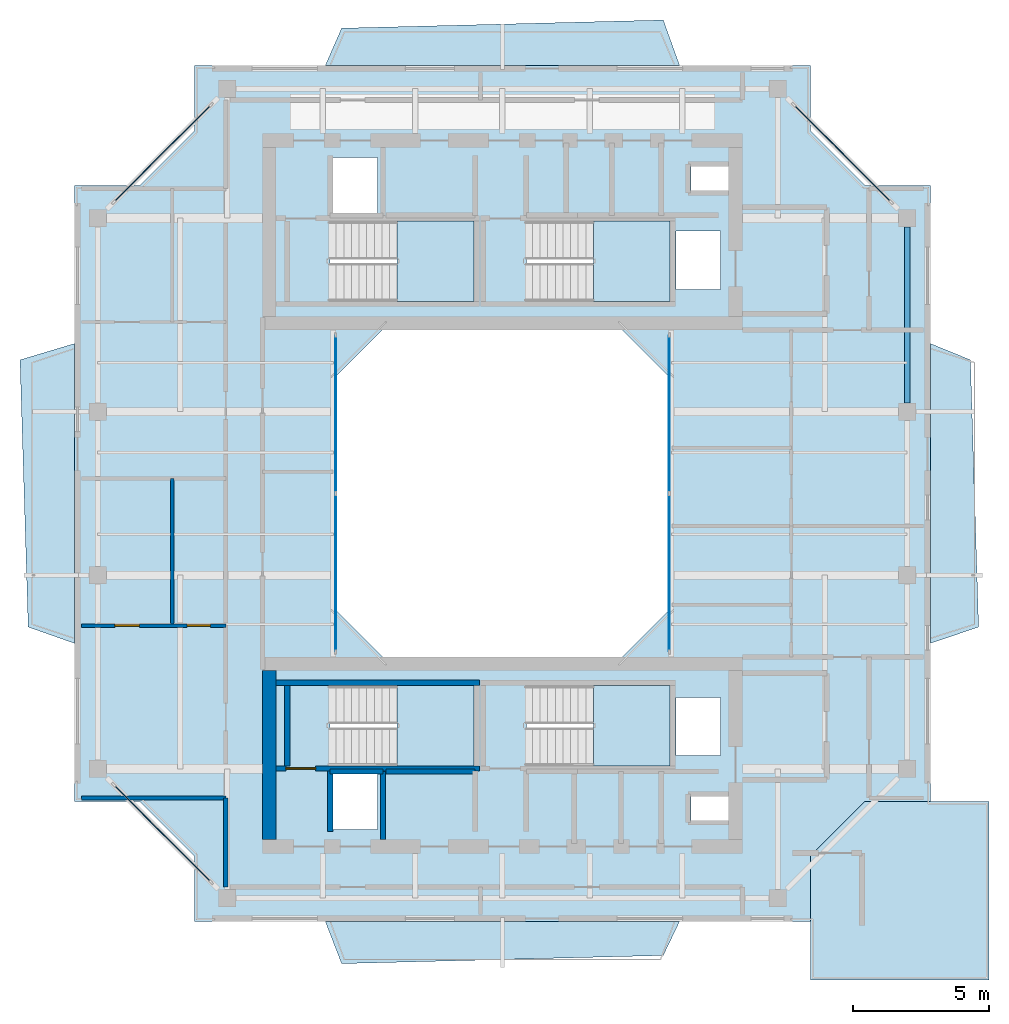
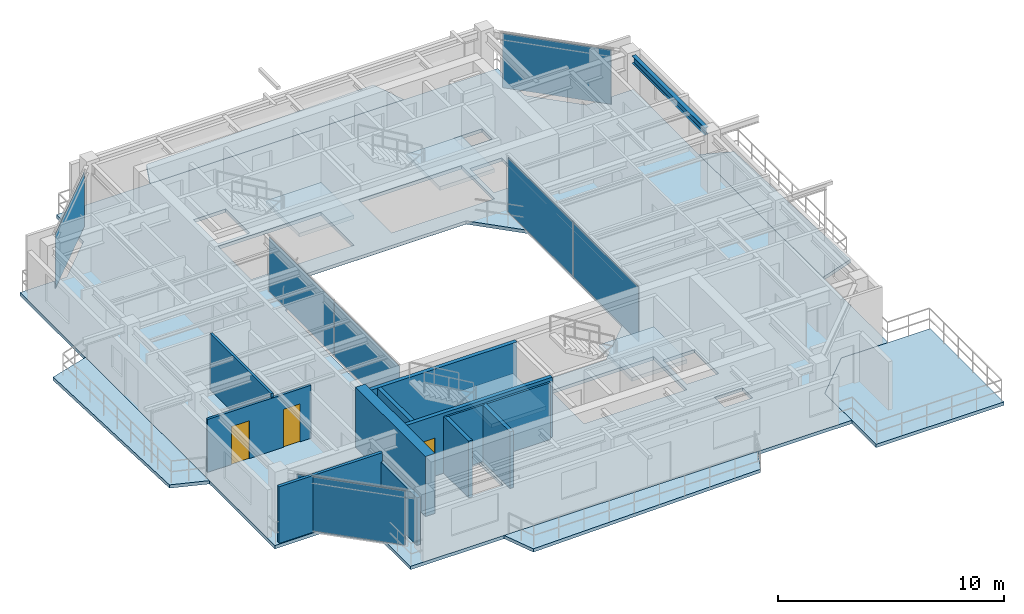
# One storey, part 8 of 14: 12 walls, 10 slabs, 7 plates, 3 doors, 1 beam, 3 openings, 9 elements without a shape of their own.
"""IFC4 building model written with IfcOpenShell, lengths in metres."""

import ifcopenshell
import ifcopenshell.guid

model = None  # the IFC model being written
_history = None  # IfcOwnerHistory: only IFC2X3 demands one
_inside = {}  # id of a spatial element -> (the spatial element, [elements in it])
_under = {}  # id of a project, library or spatial element -> (it, [spatial elements below it])
_declared = {}  # id of a project -> (the project, [libraries it declares])
_typed = {}  # id of a type object -> (the type object, [elements of that type])
_made_of = {}  # id of a material, layer set ... -> (it, [elements and type objects made of it])


def new_model(schema):
    """Start an empty IFC model of exactly this schema.

    Asked for "IFC4X3", IfcOpenShell would pick the latest addendum, in which some entities
    have other attributes; the version numbers below select the first issue.
    IFC2X3 requires an IfcOwnerHistory on every rooted entity: one is made here for all.
    """
    global model, _history
    if schema == "IFC4X3":
        model = ifcopenshell.file(schema_version=(4, 3, 0, 0))
    else:
        model = ifcopenshell.file(schema=schema)
    _inside.clear()
    _under.clear()
    _declared.clear()
    _typed.clear()
    _made_of.clear()
    _history = None
    if model.schema == "IFC2X3":
        org = make("IfcOrganization", Name="unknown")
        user = make(
            "IfcPersonAndOrganization",
            ThePerson=make("IfcPerson", FamilyName="unknown"),
            TheOrganization=org,
        )
        app = make(
            "IfcApplication",
            ApplicationDeveloper=org,
            Version="unknown",
            ApplicationFullName="unknown",
            ApplicationIdentifier="unknown",
        )
        _history = make(
            "IfcOwnerHistory",
            OwningUser=user,
            OwningApplication=app,
            ChangeAction="ADDED",
            CreationDate=0,
        )
    return model


def make(cls, **values):
    """One entity of the class cls with the attributes given. An attribute that is None is left unset."""
    return model.create_entity(
        cls, **{name: value for name, value in values.items() if value is not None}
    )


def rooted(cls, **values):
    """An entity with a GlobalId (a new one), such as an element, a storey or a relation."""
    return make(cls, GlobalId=ifcopenshell.guid.new(), OwnerHistory=_history, **values)


def si_unit(unit_type, name, prefix=None):
    """IfcSIUnit, for example si_unit("LENGTHUNIT", "METRE", prefix="MILLI")."""
    return make("IfcSIUnit", UnitType=unit_type, Prefix=prefix, Name=name)


def assignment(units):
    """IfcUnitAssignment: the units of a project."""
    return None if units is None else make("IfcUnitAssignment", Units=units)


def point(xyz):
    """IfcCartesianPoint."""
    return None if xyz is None else make("IfcCartesianPoint", Coordinates=xyz)


def direction(xyz):
    """IfcDirection."""
    return None if xyz is None else make("IfcDirection", DirectionRatios=xyz)


def frame(location, z_axis=None, x_axis=None):
    """IfcAxis2Placement3D, a coordinate frame: its origin and axes. An axis left out is left unset."""
    return make(
        "IfcAxis2Placement3D",
        Location=point(location),
        Axis=direction(z_axis),
        RefDirection=direction(x_axis),
    )


def frame_2d(location, x_axis=None):
    """IfcAxis2Placement2D, a coordinate frame in the plane: its origin and x axis."""
    return make(
        "IfcAxis2Placement2D", Location=point(location), RefDirection=direction(x_axis)
    )


def origin():
    """The frame at (0, 0, 0) with its axes left unset."""
    return frame((0.0, 0.0, 0.0))


def origin_2d():
    """The frame at (0, 0) in the plane with its x axis left unset."""
    return frame_2d((0.0, 0.0))


def place(relative_to, where):
    """IfcLocalPlacement: puts the frame where relative to a parent placement (None: the world)."""
    return make(
        "IfcLocalPlacement", PlacementRelTo=relative_to, RelativePlacement=where
    )


def context(
    kind, dimensions, precision=None, world=None, true_north=None, identifier=None
):
    """IfcGeometricRepresentationContext, for example the 3D "Model" context."""
    return make(
        "IfcGeometricRepresentationContext",
        ContextIdentifier=identifier,
        ContextType=kind,
        CoordinateSpaceDimension=dimensions,
        Precision=precision,
        WorldCoordinateSystem=world,
        TrueNorth=true_north,
    )


def subcontext(parent, identifier, kind, view, scale=None):
    """IfcGeometricRepresentationSubContext, for example "Body" below "Model"."""
    return make(
        "IfcGeometricRepresentationSubContext",
        ContextIdentifier=identifier,
        ContextType=kind,
        ParentContext=parent,
        TargetScale=scale,
        TargetView=view,
    )


def project(units=None, contexts=None):
    """IfcProject with its units and contexts."""
    return rooted(
        "IfcProject",
        Name="project",
        RepresentationContexts=contexts,
        UnitsInContext=assignment(units),
    )


def spatial(cls, under=None, at=None, **own):
    """A site, building, storey or space (cls), placed at a placement, below another one or the project."""
    s = rooted(cls, ObjectPlacement=at, **own)
    if under is not None:
        _under.setdefault(under.id(), (under, []))[1].append(s)
    return s


def polyline(points):
    """IfcPolyline through the points."""
    return make("IfcPolyline", Points=[point(p) for p in points])


def profile(cls, at=None, kind="AREA", **sizes):
    """A parametric profile (cls). Its sizes go by their IFC names, for example OverallWidth=200.0."""
    return make(cls, ProfileType=kind, Position=at, **sizes)


def rectangle(**sizes):
    """IfcRectangleProfileDef."""
    return profile("IfcRectangleProfileDef", **sizes)


def i_section(**sizes):
    """IfcIShapeProfileDef."""
    return profile("IfcIShapeProfileDef", **sizes)


def outline(outer, holes=None, kind="AREA"):
    """IfcArbitraryClosedProfileDef: a profile drawn as a closed curve; with holes, ...WithVoids."""
    if holes is None:
        return make("IfcArbitraryClosedProfileDef", ProfileType=kind, OuterCurve=outer)
    return make(
        "IfcArbitraryProfileDefWithVoids",
        ProfileType=kind,
        OuterCurve=outer,
        InnerCurves=holes,
    )


def extrude(swept, where, along, depth):
    """IfcExtrudedAreaSolid: the profile swept, set in the frame where, extruded along a direction by depth."""
    return make(
        "IfcExtrudedAreaSolid",
        SweptArea=swept,
        Position=where,
        ExtrudedDirection=direction(along),
        Depth=depth,
    )


def shape(context_of_items, identifier, shape_type, items):
    """IfcShapeRepresentation: the items that make up one representation, for example the "Body"."""
    return make(
        "IfcShapeRepresentation",
        ContextOfItems=context_of_items,
        RepresentationIdentifier=identifier,
        RepresentationType=shape_type,
        Items=items,
    )


def source(mapping_origin, context_of_items, identifier, shape_type, items):
    """IfcRepresentationMap: a shape defined once, which mapped items show again and again."""
    return make(
        "IfcRepresentationMap",
        MappingOrigin=mapping_origin,
        MappedRepresentation=shape(context_of_items, identifier, shape_type, items),
    )


def transform(
    local_origin,
    x_axis=None,
    y_axis=None,
    z_axis=None,
    scale=None,
    scale2=None,
    scale3=None,
    uniform=True,
):
    """IfcCartesianTransformationOperator3D, or its non-uniform kind. x_axis, y_axis, z_axis: its Axis1, 2, 3."""
    if uniform:
        return make(
            "IfcCartesianTransformationOperator3D",
            Axis1=direction(x_axis),
            Axis2=direction(y_axis),
            LocalOrigin=point(local_origin),
            Scale=scale,
            Axis3=direction(z_axis),
        )
    return make(
        "IfcCartesianTransformationOperator3DnonUniform",
        Axis1=direction(x_axis),
        Axis2=direction(y_axis),
        LocalOrigin=point(local_origin),
        Scale=scale,
        Axis3=direction(z_axis),
        Scale2=scale2,
        Scale3=scale3,
    )


def mapped(mapping_source, mapping_target):
    """IfcMappedItem: shows the shape of a source again, moved by a transform."""
    return make(
        "IfcMappedItem", MappingSource=mapping_source, MappingTarget=mapping_target
    )


def material(Name=None, Category=None):
    """IfcMaterial."""
    return make("IfcMaterial", Name=Name, Category=Category)


def layer(
    of_material, thickness, ventilated=None, Name=None, Category=None, Priority=None
):
    """IfcMaterialLayer: one layer of a wall or slab, of a material (None: an air gap)."""
    return make(
        "IfcMaterialLayer",
        Material=of_material,
        LayerThickness=thickness,
        IsVentilated=ventilated,
        Name=Name,
        Category=Category,
        Priority=Priority,
    )


def layer_set(layers, Name=None):
    """IfcMaterialLayerSet."""
    return make("IfcMaterialLayerSet", MaterialLayers=layers, LayerSetName=Name)


def material_profile(
    of_material, cross_section, Name=None, Category=None, Priority=None
):
    """IfcMaterialProfile: a cross section and its material."""
    return make(
        "IfcMaterialProfile",
        Name=Name,
        Material=of_material,
        Profile=cross_section,
        Priority=Priority,
        Category=Category,
    )


def profile_set(profiles, Name=None, composite=None):
    """IfcMaterialProfileSet."""
    return make(
        "IfcMaterialProfileSet",
        Name=Name,
        MaterialProfiles=profiles,
        CompositeProfile=composite,
    )


def made_of(thing, what):
    """Note that an element or type object is made of a material, layer set ...; save() writes the relation."""
    if what is not None:
        _made_of.setdefault(what.id(), (what, []))[1].append(thing)
    return thing


def type_object(cls, material=None, **own):
    """A type object (cls), such as IfcWallType, which elements share."""
    return made_of(rooted(cls, **own), material)


def element(
    cls,
    number,
    at=None,
    inside=None,
    cuts=None,
    type_object=None,
    material=None,
    context=None,
    identifier="Body",
    shape_type=None,
    held_by="IfcProductDefinitionShape",
    body=None,
    shapes=None,
    **own,
):
    """One element of the class cls, such as IfcWall. Its Tag is "e" and its number.

    at: its placement. inside: the storey or other place that contains it. cuts: it is an
    opening in that element (IfcRelVoidsElement). A single representation is given by context,
    identifier, shape_type and body (its items); several are given by shapes. held_by: the class
    of the entity that holds the representations. save() writes the other relations.
    """
    e = rooted(cls, Tag="e%d" % number, ObjectPlacement=at, **own)
    if body is not None:
        shapes = [shape(context, identifier, shape_type, body)]
    if shapes is not None:
        e.Representation = make(held_by, Representations=shapes)
    if inside is not None:
        _inside.setdefault(inside.id(), (inside, []))[1].append(e)
    if cuts is not None:
        rooted(
            "IfcRelVoidsElement", RelatingBuildingElement=cuts, RelatedOpeningElement=e
        )
    if type_object is not None:
        _typed.setdefault(type_object.id(), (type_object, []))[1].append(e)
    return made_of(e, material)


def fill(opening, filler):
    """IfcRelFillsElement: the door or window that sits in an opening."""
    return rooted(
        "IfcRelFillsElement",
        RelatingOpeningElement=opening,
        RelatedBuildingElement=filler,
    )


def aggregate(whole, parts):
    """IfcRelAggregates: a whole, such as a stair, and the parts it consists of."""
    return rooted("IfcRelAggregates", RelatingObject=whole, RelatedObjects=parts)


def save(model, path):
    """Write the relations noted so far, then the file.

    IfcRelAggregates (storeys below a building ...), IfcRelContainedInSpatialStructure (elements
    in a storey), IfcRelDefinesByType, IfcRelAssociatesMaterial and IfcRelDeclares: one each for
    every whole, place, type object, material and project.
    """
    for whole, parts in _under.values():
        aggregate(whole, parts)
    for where, things in _inside.values():
        rooted(
            "IfcRelContainedInSpatialStructure",
            RelatedElements=things,
            RelatingStructure=where,
        )
    for kind, things in _typed.values():
        rooted("IfcRelDefinesByType", RelatedObjects=things, RelatingType=kind)
    for what, things in _made_of.values():
        rooted("IfcRelAssociatesMaterial", RelatedObjects=things, RelatingMaterial=what)
    for by, libraries in _declared.values():
        rooted("IfcRelDeclares", RelatingContext=by, RelatedDefinitions=libraries)
    model.write(path)


model = new_model("IFC4")

# Units and contexts
model_context = context("Model", 3, precision=1e-05, world=origin(), true_north=direction((0.0, 1.0)))
body_context = subcontext(model_context, "Body", "Model", "MODEL_VIEW")
ifc_project = project(units=[si_unit("LENGTHUNIT", "METRE"), si_unit("AREAUNIT", "SQUARE_METRE"), si_unit("VOLUMEUNIT", "CUBIC_METRE"), si_unit("PLANEANGLEUNIT", "RADIAN"), si_unit("MASSUNIT", "GRAM", prefix="KILO"), si_unit("THERMODYNAMICTEMPERATUREUNIT", "KELVIN"), si_unit("POWERUNIT", "WATT")], contexts=[model_context])

# Site, building, storey
site_placement = place(None, origin())
site = spatial("IfcSite", under=ifc_project, at=site_placement, CompositionType="ELEMENT")
building_placement = place(site_placement, origin())
building = spatial("IfcBuilding", under=site, at=building_placement, Name="Qiaomeng Ring Towers", CompositionType="ELEMENT")
storey_placement = place(building_placement, frame((0.0, 0.0, 253.5)))
storey = spatial("IfcBuildingStorey", under=building, at=storey_placement, Name="L74", CompositionType="ELEMENT", Elevation=253.5)

# Beam
ifc_material_1 = material(Name="Steel Q355B", Category="steel")
ifc_material_profile = material_profile(ifc_material_1, i_section(OverallWidth=0.198974609375, OverallDepth=0.39599609375, WebThickness=0.007080078125, FlangeThickness=0.010986328125, FilletRadius=0.01611328125, at=origin_2d()), Name="HN 396x199x7x11")
ifc_profile_set = profile_set([ifc_material_profile], Name="Steel Q355B")
beam_type = type_object("IfcBeamType", Name="STR-BM-HN396", PredefinedType="SPANDREL", material=ifc_profile_set)
shared_shape_1 = source(origin(), body_context, "Body", "SweptSolid", [
    extrude(i_section(OverallWidth=0.198974609375, OverallDepth=0.39599609375, WebThickness=0.007080078125, FlangeThickness=0.010986328125, FilletRadius=0.01611328125, at=origin_2d()), origin(), (0.0, 0.0, 1.0), 6.451904296875),
])
beam_placement = place(storey_placement, frame((33.85009765625, 26.323974609375, 2.8720703125), z_axis=(0.0, 1.0, 0.0), x_axis=(-1.0, 0.0, 0.0)))
element("IfcBeam", 1, at=beam_placement, inside=storey, type_object=beam_type, Name="L74 beam STR-SP-L74-T1-E3-E4", PredefinedType="SPANDREL", context=body_context, shape_type="MappedRepresentation", body=[
    mapped(shared_shape_1, transform((0.0, 0.0, 0.0), x_axis=(1.0, 0.0, 0.0), y_axis=(0.0, 1.0, 0.0), z_axis=(0.0, 0.0, 1.0), scale=1.0)),
])

# Slabs
ifc_material_2 = material(Name="Concrete C40", Category="concrete")
ifc_layer_1 = layer(ifc_material_2, 0.179931640625, Name="Concrete C40")
ifc_layer_set_1 = layer_set([ifc_layer_1], Name="Concrete C40")
slab_type_1 = type_object("IfcSlabType", Name="STR-SL-180", PredefinedType="FLOOR", material=ifc_layer_set_1)
slab_1_placement = place(storey_placement, frame((0.0, 0.0, -0.179931640625)))
element("IfcSlab", 2, at=slab_1_placement, inside=storey, type_object=slab_type_1, Name="L74 Tower 1 Annular Floor Slab", PredefinedType="FLOOR", context=body_context, shape_type="SweptSolid", body=[
    extrude(outline(polyline([(7.699951171875, 7.300048828125), (30.300048828125, 7.300048828125), (30.300048828125, 9.699951171875), (32.300048828125, 11.699951171875), (34.699951171875, 11.699951171875), (34.699951171875, 34.300048828125), (32.300048828125, 34.300048828125), (30.300048828125, 36.300048828125), (30.300048828125, 38.699951171875), (7.699951171875, 38.699951171875), (7.699951171875, 36.300048828125), (5.699951171875, 34.300048828125), (3.300048828125, 34.300048828125), (3.300048828125, 11.699951171875), (5.699951171875, 11.699951171875), (7.699951171875, 9.699951171875), (7.699951171875, 7.300048828125)]), holes=[polyline([(12.780029296875, 10.679931640625), (12.780029296875, 12.820068359375), (14.419921875, 12.820068359375), (14.419921875, 10.679931640625), (12.780029296875, 10.679931640625)]), polyline([(12.679931640625, 13.010009765625), (12.679931640625, 15.949951171875), (17.949951171875, 15.949951171875), (17.949951171875, 13.010009765625), (12.679931640625, 13.010009765625)]), polyline([(23.199951171875, 29.199951171875), (25.199951171875, 27.199951171875), (25.199951171875, 18.800048828125), (23.199951171875, 16.800048828125), (14.800048828125, 16.800048828125), (12.800048828125, 18.800048828125), (12.800048828125, 27.199951171875), (14.800048828125, 29.199951171875), (23.199951171875, 29.199951171875)]), polyline([(12.679931640625, 32.989990234375), (17.949951171875, 32.989990234375), (17.949951171875, 30.050048828125), (12.679931640625, 30.050048828125), (12.679931640625, 32.989990234375)]), polyline([(19.8798828125, 32.989990234375), (25.14990234375, 32.989990234375), (25.14990234375, 30.050048828125), (19.8798828125, 30.050048828125), (19.8798828125, 32.989990234375)]), polyline([(12.780029296875, 33.179931640625), (12.780029296875, 35.320068359375), (14.419921875, 35.320068359375), (14.419921875, 33.179931640625), (12.780029296875, 33.179931640625)]), polyline([(25.919921875, 11.89990234375), (27.360107421875, 11.89990234375), (27.360107421875, 11.0), (25.919921875, 11.0), (25.919921875, 11.89990234375)]), polyline([(25.360107421875, 15.52001953125), (27.0, 15.52001953125), (27.0, 13.3798828125), (25.360107421875, 13.3798828125), (25.360107421875, 15.52001953125)]), polyline([(19.8798828125, 13.010009765625), (19.8798828125, 15.949951171875), (25.14990234375, 15.949951171875), (25.14990234375, 13.010009765625), (19.8798828125, 13.010009765625)]), polyline([(25.360107421875, 32.6201171875), (27.0, 32.6201171875), (27.0, 30.47998046875), (25.360107421875, 30.47998046875), (25.360107421875, 32.6201171875)]), polyline([(25.919921875, 35.0), (27.360107421875, 35.0), (27.360107421875, 34.10009765625), (25.919921875, 34.10009765625), (25.919921875, 35.0)])]), origin(), (0.0, 0.0, 1.0), 0.179931640625),
])
ifc_layer_2 = layer(ifc_material_2, 0.179931640625, Name="Concrete C40")
ifc_layer_set_2 = layer_set([ifc_layer_2], Name="Concrete C40")
slab_type_2 = type_object("IfcSlabType", Name="STR-SL-BAL", PredefinedType="FLOOR", material=ifc_layer_set_2)
slab_2_placement = place(storey_placement, frame((0.0, 0.0, -0.179931640625)))
element("IfcSlab", 3, at=slab_2_placement, inside=storey, type_object=slab_type_2, Name="L74 Tower 1 S Faceted Balcony Slab", PredefinedType="FLOOR", context=body_context, shape_type="SweptSolid", body=[
    extrude(outline(polyline([(24.89990234375, 6.050048828125), (13.10009765625, 5.75), (12.5, 7.300048828125), (25.5, 7.300048828125), (24.89990234375, 6.050048828125)])), origin(), (0.0, 0.0, 1.0), 0.179931640625),
])
slab_3_placement = place(storey_placement, frame((0.0, 0.0, -0.179931640625)))
element("IfcSlab", 4, at=slab_3_placement, inside=storey, type_object=slab_type_2, Name="L74 Tower 1 E Faceted Balcony Slab", PredefinedType="FLOOR", context=body_context, shape_type="SweptSolid", body=[
    extrude(outline(polyline([(36.169921875, 27.89990234375), (36.469970703125, 18.10009765625), (34.699951171875, 17.5), (34.699951171875, 28.5), (36.169921875, 27.89990234375)])), origin(), (0.0, 0.0, 1.0), 0.179931640625),
])
slab_4_placement = place(storey_placement, frame((0.0, 0.0, -0.179931640625)))
element("IfcSlab", 5, at=slab_4_placement, inside=storey, type_object=slab_type_2, Name="L74 Tower 1 N Faceted Balcony Slab", PredefinedType="FLOOR", context=body_context, shape_type="SweptSolid", body=[
    extrude(outline(polyline([(12.5, 38.699951171875), (13.10009765625, 40.070068359375), (24.89990234375, 40.3701171875), (25.5, 38.699951171875), (12.5, 38.699951171875)])), origin(), (0.0, 0.0, 1.0), 0.179931640625),
])
slab_5_placement = place(storey_placement, frame((0.0, 0.0, -0.179931640625)))
element("IfcSlab", 6, at=slab_5_placement, inside=storey, type_object=slab_type_2, Name="L74 Tower 1 W Faceted Balcony Slab", PredefinedType="FLOOR", context=body_context, shape_type="SweptSolid", body=[
    extrude(outline(polyline([(1.60009765625, 18.10009765625), (1.300048828125, 27.89990234375), (3.300048828125, 28.5), (3.300048828125, 17.5), (1.60009765625, 18.10009765625)])), origin(), (0.0, 0.0, 1.0), 0.179931640625),
])

# Stair, slab
ifc_material_3 = material(Name="Precast concrete C40", Category="concrete")
stair_type = type_object("IfcStairType", Name="ARC-ST-325", PredefinedType="HALF_TURN_STAIR", material=ifc_material_3)
stair_1_placement = place(storey_placement, origin())
stair_1 = element("IfcStair", 7, at=stair_1_placement, inside=storey, type_object=stair_type, Name="L74 Tower 1 North Stair 1", PredefinedType="HALF_TURN_STAIR")
ifc_layer_3 = layer(ifc_material_2, 0.199951171875, Name="Concrete C40")
ifc_layer_set_3 = layer_set([ifc_layer_3], Name="Concrete C40")
slab_type_3 = type_object("IfcSlabType", Name="STR-SL-LANDING", PredefinedType="LANDING", material=ifc_layer_set_3)
slab_6_placement = place(storey_placement, frame((0.0, 0.0, 1.425048828125)))
slab_6 = element("IfcSlab", 8, at=slab_6_placement, type_object=slab_type_3, Name="ST1 landing 1", PredefinedType="LANDING", context=body_context, shape_type="SweptSolid", body=[
    extrude(outline(polyline([(15.139892578125, 30.050048828125), (17.949951171875, 30.050048828125), (17.949951171875, 32.989990234375), (15.139892578125, 32.989990234375), (15.139892578125, 30.050048828125)])), origin(), (0.0, 0.0, 1.0), 0.199951171875),
])
aggregate(stair_1, [slab_6])

stair_2_placement = place(storey_placement, origin())
stair_2 = element("IfcStair", 9, at=stair_2_placement, inside=storey, type_object=stair_type, Name="L74 Tower 1 North Stair 2", PredefinedType="HALF_TURN_STAIR")
slab_7_placement = place(storey_placement, frame((0.0, 0.0, 1.425048828125)))
slab_7 = element("IfcSlab", 10, at=slab_7_placement, type_object=slab_type_3, Name="ST2 landing 1", PredefinedType="LANDING", context=body_context, shape_type="SweptSolid", body=[
    extrude(outline(polyline([(22.340087890625, 30.050048828125), (25.14990234375, 30.050048828125), (25.14990234375, 32.989990234375), (22.340087890625, 32.989990234375), (22.340087890625, 30.050048828125)])), origin(), (0.0, 0.0, 1.0), 0.199951171875),
])
aggregate(stair_2, [slab_7])

stair_3_placement = place(storey_placement, origin())
stair_3 = element("IfcStair", 11, at=stair_3_placement, inside=storey, type_object=stair_type, Name="L74 Tower 1 South Stair 3", PredefinedType="HALF_TURN_STAIR")
slab_8_placement = place(storey_placement, frame((0.0, 0.0, 1.425048828125)))
slab_8 = element("IfcSlab", 12, at=slab_8_placement, type_object=slab_type_3, Name="ST3 landing 1", PredefinedType="LANDING", context=body_context, shape_type="SweptSolid", body=[
    extrude(outline(polyline([(15.139892578125, 13.010009765625), (17.949951171875, 13.010009765625), (17.949951171875, 15.949951171875), (15.139892578125, 15.949951171875), (15.139892578125, 13.010009765625)])), origin(), (0.0, 0.0, 1.0), 0.199951171875),
])
aggregate(stair_3, [slab_8])

stair_4_placement = place(storey_placement, origin())
stair_4 = element("IfcStair", 13, at=stair_4_placement, inside=storey, type_object=stair_type, Name="L74 Tower 1 South Stair 4", PredefinedType="HALF_TURN_STAIR")
slab_9_placement = place(storey_placement, frame((0.0, 0.0, 1.425048828125)))
slab_9 = element("IfcSlab", 14, at=slab_9_placement, type_object=slab_type_3, Name="ST4 landing 1", PredefinedType="LANDING", context=body_context, shape_type="SweptSolid", body=[
    extrude(outline(polyline([(22.340087890625, 13.010009765625), (25.14990234375, 13.010009765625), (25.14990234375, 15.949951171875), (22.340087890625, 15.949951171875), (22.340087890625, 13.010009765625)])), origin(), (0.0, 0.0, 1.0), 0.199951171875),
])
aggregate(stair_4, [slab_9])

# Slab
ifc_layer_4 = layer(ifc_material_2, 0.179931640625, Name="Concrete C40")
ifc_layer_set_4 = layer_set([ifc_layer_4], Name="Concrete C40")
slab_type_4 = type_object("IfcSlabType", Name="STR-SL-TERR180", PredefinedType="FLOOR", material=ifc_layer_set_4)
slab_10_placement = place(storey_placement, frame((0.0, 0.0, -0.179931640625)))
element("IfcSlab", 15, at=slab_10_placement, inside=storey, type_object=slab_type_4, Name="L74 Spiralling Corner Sky Terrace SE", PredefinedType="FLOOR", context=body_context, shape_type="SweptSolid", body=[
    extrude(outline(polyline([(36.85009765625, 11.699951171875), (36.85009765625, 5.14990234375), (30.300048828125, 5.14990234375), (30.300048828125, 9.699951171875), (32.300048828125, 11.699951171875), (34.699951171875, 11.699951171875), (34.699951171875, 11.699951171875), (36.85009765625, 11.699951171875)])), origin(), (0.0, 0.0, 1.0), 0.179931640625),
])

# Curtain wall, plates
ifc_material_4 = material(Name="Fluorocarbon dark-grey aluminium", Category="aluminium")
ifc_layer_5 = layer(ifc_material_4, 0.139892578125, Name="Fluorocarbon dark-grey aluminium")
ifc_layer_set_5 = layer_set([ifc_layer_5], Name="Fluorocarbon dark-grey aluminium")
curtain_wall_type_1 = type_object("IfcCurtainWallType", Name="ARC-CW-4", PredefinedType="NOTDEFINED", material=ifc_layer_set_5)
curtain_wall_1_placement = place(storey_placement, origin())
curtain_wall_1 = element("IfcCurtainWall", 16, at=curtain_wall_1_placement, inside=storey, type_object=curtain_wall_type_1, Name="L74 Curtain Wall CW4", PredefinedType="NOTDEFINED")
ifc_material_5 = material(Name="Low-E dark-grey laminated double glazing", Category="glass")
ifc_layer_6 = layer(ifc_material_5, 0.028076171875, Name="Low-E dark-grey laminated double glazing")
ifc_layer_set_6 = layer_set([ifc_layer_6], Name="Low-E dark-grey laminated double glazing")
plate_type = type_object("IfcPlateType", Name="ARC-CWP-DARK", PredefinedType="CURTAIN_PANEL", material=ifc_layer_set_6)
shared_shape_2 = source(origin(), body_context, "Body", "SweptSolid", [
    extrude(rectangle(XDim=5.75244140625, YDim=0.028076171875, at=origin_2d()), origin(), (0.0, 0.0, 1.0), 2.93994140625),
])
plate_1_placement = place(storey_placement, frame((12.8798828125, 20.09130859375, 0.06494140625), z_axis=(0.0, 0.0, 1.0), x_axis=(0.0, 1.0, 0.0)))
plate_1 = element("IfcPlate", 17, at=plate_1_placement, type_object=plate_type, Name="CW4 panel 1.1", PredefinedType="CURTAIN_PANEL", context=body_context, shape_type="MappedRepresentation", body=[
    mapped(shared_shape_2, transform((0.0, 0.0, 0.0), x_axis=(1.0, 0.0, 0.0), y_axis=(0.0, 1.0, 0.0), z_axis=(0.0, 0.0, 1.0), scale=1.0)),
])
plate_2_placement = place(storey_placement, frame((12.8798828125, 25.90869140625, 0.06494140625), z_axis=(0.0, 0.0, 1.0), x_axis=(0.0, 1.0, 0.0)))
plate_2 = element("IfcPlate", 18, at=plate_2_placement, type_object=plate_type, Name="CW4 panel 2.1", PredefinedType="CURTAIN_PANEL", context=body_context, shape_type="MappedRepresentation", body=[
    mapped(shared_shape_2, transform((0.0, 0.0, 0.0), x_axis=(1.0, 0.0, 0.0), y_axis=(0.0, 1.0, 0.0), z_axis=(0.0, 0.0, 1.0), scale=1.0)),
])
aggregate(curtain_wall_1, [plate_1, plate_2])

curtain_wall_2_placement = place(storey_placement, origin())
curtain_wall_2 = element("IfcCurtainWall", 19, at=curtain_wall_2_placement, inside=storey, type_object=curtain_wall_type_1, Name="L74 Curtain Wall CW4", PredefinedType="NOTDEFINED")
plate_3_placement = place(storey_placement, frame((25.1201171875, 20.09130859375, 0.06494140625), z_axis=(0.0, 0.0, 1.0), x_axis=(0.0, 1.0, 0.0)))
plate_3 = element("IfcPlate", 20, at=plate_3_placement, type_object=plate_type, Name="CW4 panel 1.1", PredefinedType="CURTAIN_PANEL", context=body_context, shape_type="MappedRepresentation", body=[
    mapped(shared_shape_2, transform((0.0, 0.0, 0.0), x_axis=(1.0, 0.0, 0.0), y_axis=(0.0, 1.0, 0.0), z_axis=(0.0, 0.0, 1.0), scale=1.0)),
])
plate_4_placement = place(storey_placement, frame((25.1201171875, 25.90869140625, 0.06494140625), z_axis=(0.0, 0.0, 1.0), x_axis=(0.0, 1.0, 0.0)))
plate_4 = element("IfcPlate", 21, at=plate_4_placement, type_object=plate_type, Name="CW4 panel 2.1", PredefinedType="CURTAIN_PANEL", context=body_context, shape_type="MappedRepresentation", body=[
    mapped(shared_shape_2, transform((0.0, 0.0, 0.0), x_axis=(1.0, 0.0, 0.0), y_axis=(0.0, 1.0, 0.0), z_axis=(0.0, 0.0, 1.0), scale=1.0)),
])
aggregate(curtain_wall_2, [plate_3, plate_4])

# Curtain wall, plate
ifc_layer_7 = layer(ifc_material_4, 0.14990234375, Name="Fluorocarbon dark-grey aluminium")
ifc_layer_set_7 = layer_set([ifc_layer_7], Name="Fluorocarbon dark-grey aluminium")
curtain_wall_type_2 = type_object("IfcCurtainWallType", Name="ARC-CW-3", PredefinedType="NOTDEFINED", material=ifc_layer_set_7)
curtain_wall_3_placement = place(storey_placement, origin())
curtain_wall_3 = element("IfcCurtainWall", 22, at=curtain_wall_3_placement, inside=storey, type_object=curtain_wall_type_2, Name="L74 Curtain Wall CW3", PredefinedType="NOTDEFINED")
shared_shape_3 = source(origin(), body_context, "Body", "SweptSolid", [
    extrude(rectangle(XDim=4.9794921875, YDim=0.028076171875, at=origin_2d()), origin(), (0.0, 0.0, 1.0), 2.93994140625),
])
plate_5_placement = place(storey_placement, frame((31.47509765625, 35.47509765625, 0.06494140625), z_axis=(0.0, 0.0, 1.0), x_axis=(-0.707106781187, 0.707106781187, 0.0)))
plate_5 = element("IfcPlate", 23, at=plate_5_placement, type_object=plate_type, Name="CW3 panel 1.1", PredefinedType="CURTAIN_PANEL", context=body_context, shape_type="MappedRepresentation", body=[
    mapped(shared_shape_3, transform((0.0, 0.0, 0.0), x_axis=(1.0, 0.0, 0.0), y_axis=(0.0, 1.0, 0.0), z_axis=(0.0, 0.0, 1.0), scale=1.0)),
])
aggregate(curtain_wall_3, [plate_5])

curtain_wall_4_placement = place(storey_placement, origin())
curtain_wall_4 = element("IfcCurtainWall", 24, at=curtain_wall_4_placement, inside=storey, type_object=curtain_wall_type_2, Name="L74 Curtain Wall CW3", PredefinedType="NOTDEFINED")
plate_6_placement = place(storey_placement, frame((6.52490234375, 35.47509765625, 0.06494140625), z_axis=(0.0, 0.0, 1.0), x_axis=(-0.707106781187, -0.707106781187, 0.0)))
plate_6 = element("IfcPlate", 25, at=plate_6_placement, type_object=plate_type, Name="CW3 panel 1.1", PredefinedType="CURTAIN_PANEL", context=body_context, shape_type="MappedRepresentation", body=[
    mapped(shared_shape_3, transform((0.0, 0.0, 0.0), x_axis=(1.0, 0.0, 0.0), y_axis=(0.0, 1.0, 0.0), z_axis=(0.0, 0.0, 1.0), scale=1.0)),
])
aggregate(curtain_wall_4, [plate_6])

curtain_wall_5_placement = place(storey_placement, origin())
curtain_wall_5 = element("IfcCurtainWall", 26, at=curtain_wall_5_placement, inside=storey, type_object=curtain_wall_type_2, Name="L74 Curtain Wall CW3", PredefinedType="NOTDEFINED")
plate_7_placement = place(storey_placement, frame((6.52490234375, 10.52490234375, 0.06494140625), z_axis=(0.0, 0.0, 1.0), x_axis=(0.707106781187, -0.707106781187, 0.0)))
plate_7 = element("IfcPlate", 27, at=plate_7_placement, type_object=plate_type, Name="CW3 panel 1.1", PredefinedType="CURTAIN_PANEL", context=body_context, shape_type="MappedRepresentation", body=[
    mapped(shared_shape_3, transform((0.0, 0.0, 0.0), x_axis=(1.0, 0.0, 0.0), y_axis=(0.0, 1.0, 0.0), z_axis=(0.0, 0.0, 1.0), scale=1.0)),
])
aggregate(curtain_wall_5, [plate_7])

# Walls
ifc_material_6 = material(Name="Autoclaved aerated concrete block", Category="concrete")
ifc_layer_8 = layer(ifc_material_6, 0.199951171875, Name="Autoclaved aerated concrete block")
ifc_layer_set_8 = layer_set([ifc_layer_8], Name="Autoclaved aerated concrete block")
wall_type_1 = type_object("IfcWallType", Name="ARC-WL-PW1", PredefinedType="PARTITIONING", material=ifc_layer_set_8)
wall_1_placement = place(storey_placement, frame((12.679931640625, 10.60009765625, 0.0), z_axis=(0.0, 0.0, 1.0), x_axis=(0.0, 1.0, 0.0)))
element("IfcWall", 28, at=wall_1_placement, inside=storey, type_object=wall_type_1, Name="L74 Interior Wall PW1", PredefinedType="PARTITIONING", context=body_context, shape_type="SweptSolid", body=[
    extrude(rectangle(XDim=2.2099609375, YDim=0.199951171875, at=frame_2d((1.10498046875, 0.0))), origin(), (0.0, 0.0, 1.0), 3.070068359375),
])
wall_2_placement = place(storey_placement, frame((14.719970703125, 12.800048828125, 0.0), z_axis=(0.0, 0.0, 1.0), x_axis=(1.0, 0.0, 0.0)))
element("IfcWall", 29, at=wall_2_placement, inside=storey, type_object=wall_type_1, Name="L74 Interior Wall PW1", PredefinedType="PARTITIONING", context=body_context, shape_type="SweptSolid", body=[
    extrude(rectangle(XDim=3.280029296875, YDim=0.199951171875, at=frame_2d((1.64013671875, 0.0))), origin(), (0.0, 0.0, 1.0), 3.070068359375),
])
ifc_layer_9 = layer(ifc_material_6, 0.179931640625, Name="Autoclaved aerated concrete block")
ifc_layer_set_9 = layer_set([ifc_layer_9], Name="Autoclaved aerated concrete block")
wall_type_2 = type_object("IfcWallType", Name="ARC-WL-PW2", PredefinedType="PARTITIONING", material=ifc_layer_set_9)
wall_3_placement = place(storey_placement, frame((8.85009765625, 8.56005859375, 0.0), z_axis=(0.0, 0.0, 1.0), x_axis=(0.0, 1.0, 0.0)))
element("IfcWall", 30, at=wall_3_placement, inside=storey, type_object=wall_type_2, Name="L74 Interior Wall PW2", PredefinedType="PARTITIONING", context=body_context, shape_type="SweptSolid", body=[
    extrude(rectangle(XDim=3.260009765625, YDim=0.179931640625, at=frame_2d((1.6298828125, 0.0))), origin(), (0.0, 0.0, 1.0), 2.569091796875),
])
ifc_material_7 = material(Name="Gypsum fireboard steel-stud partition", Category="steel")
ifc_layer_10 = layer(ifc_material_7, 0.14990234375, Name="Gypsum fireboard steel-stud partition")
ifc_layer_set_10 = layer_set([ifc_layer_10], Name="Gypsum fireboard steel-stud partition")
wall_type_3 = type_object("IfcWallType", Name="ARC-WL-PW3", PredefinedType="PARTITIONING", material=ifc_layer_set_10)
wall_4_placement = place(storey_placement, frame((3.550048828125, 11.820068359375, 0.0), z_axis=(0.0, 0.0, 1.0), x_axis=(1.0, 0.0, 0.0)))
element("IfcWall", 31, at=wall_4_placement, inside=storey, type_object=wall_type_3, Name="L74 Interior Wall PW3", PredefinedType="PARTITIONING", context=body_context, shape_type="SweptSolid", body=[
    extrude(rectangle(XDim=5.300048828125, YDim=0.14990234375, at=frame_2d((2.64990234375, 0.0))), origin(), (0.0, 0.0, 1.0), 3.070068359375),
])

# Wall, openings, doors
ifc_material_8 = material(Name="Moisture-resistant gypsum steel-stud partition", Category="steel")
ifc_layer_11 = layer(ifc_material_8, 0.1201171875, Name="Moisture-resistant gypsum steel-stud partition")
ifc_layer_set_11 = layer_set([ifc_layer_11], Name="Moisture-resistant gypsum steel-stud partition")
wall_type_4 = type_object("IfcWallType", Name="ARC-WL-PW4", PredefinedType="PLUMBINGWALL", material=ifc_layer_set_11)
wall_5_placement = place(storey_placement, frame((3.550048828125, 18.14990234375, 0.0), z_axis=(0.0, 0.0, 1.0), x_axis=(1.0, 0.0, 0.0)))
wall_5 = element("IfcWall", 32, at=wall_5_placement, inside=storey, type_object=wall_type_4, Name="L74 Interior Wall PW4", PredefinedType="PLUMBINGWALL", context=body_context, shape_type="SweptSolid", body=[
    extrude(rectangle(XDim=5.300048828125, YDim=0.1201171875, at=frame_2d((2.64990234375, 0.0))), origin(), (0.0, 0.0, 1.0), 2.864990234375),
])
opening_1_placement = place(wall_5_placement, frame((1.22998046875, 0.0, 0.0)))
opening_1 = element("IfcOpeningElement", 33, at=opening_1_placement, cuts=wall_5, Name="Opening ID1", PredefinedType="OPENING", context=body_context, shape_type="SweptSolid", body=[
    extrude(rectangle(XDim=0.89990234375, YDim=2.050048828125, at=frame_2d((0.449951171875, 1.02490234375))), frame((0.0, 0.070068359375, 0.0), z_axis=(0.0, -1.0, 0.0), x_axis=(1.0, 0.0, 0.0)), (0.0, 0.0, 1.0), 0.14013671875),
])
opening_2_placement = place(wall_5_placement, frame((3.885009765625, 0.0, 0.0)))
opening_2 = element("IfcOpeningElement", 34, at=opening_2_placement, cuts=wall_5, Name="Opening ID2", PredefinedType="OPENING", context=body_context, shape_type="SweptSolid", body=[
    extrude(rectangle(XDim=0.85009765625, YDim=2.050048828125, at=frame_2d((0.425048828125, 1.02490234375))), frame((0.0, 0.070068359375, 0.0), z_axis=(0.0, -1.0, 0.0), x_axis=(1.0, 0.0, 0.0)), (0.0, 0.0, 1.0), 0.14013671875),
])
ifc_material_9 = material(Name="Moisture-resistant engineered timber", Category="wood")
door_type_1 = type_object("IfcDoorType", Name="ARC-DR-ID2", OperationType="NOTDEFINED", PredefinedType="DOOR", material=ifc_material_9)
shared_shape_4 = source(origin(), body_context, "Body", "SweptSolid", [
    extrude(rectangle(XDim=0.85009765625, YDim=2.050048828125, at=frame_2d((0.425048828125, 1.02490234375))), frame((0.0, 0.02490234375, 0.0), z_axis=(0.0, -1.0, 0.0), x_axis=(1.0, 0.0, 0.0)), (0.0, 0.0, 1.0), 0.050048828125),
])
door_1_placement = place(opening_2_placement, origin())
door_1 = element("IfcDoor", 35, at=door_1_placement, inside=storey, type_object=door_type_1, Name="L74 Door ID2", OperationType="SINGLE_SWING_RIGHT", OverallHeight=2.050048828125, OverallWidth=0.85009765625, PredefinedType="DOOR", context=body_context, shape_type="MappedRepresentation", body=[
    mapped(shared_shape_4, transform((0.0, 0.0, 0.0), x_axis=(1.0, 0.0, 0.0), y_axis=(0.0, 1.0, 0.0), z_axis=(0.0, 0.0, 1.0), scale=1.0)),
])
fill(opening_2, door_1)
ifc_material_10 = material(Name="Engineered oak timber", Category="wood")
door_type_2 = type_object("IfcDoorType", Name="ARC-DR-ID1", OperationType="NOTDEFINED", PredefinedType="DOOR", material=ifc_material_10)
shared_shape_5 = source(origin(), body_context, "Body", "SweptSolid", [
    extrude(rectangle(XDim=0.89990234375, YDim=2.050048828125, at=frame_2d((0.449951171875, 1.02490234375))), frame((0.0, 0.02490234375, 0.0), z_axis=(0.0, -1.0, 0.0), x_axis=(1.0, 0.0, 0.0)), (0.0, 0.0, 1.0), 0.050048828125),
])
door_2_placement = place(opening_1_placement, origin())
door_2 = element("IfcDoor", 36, at=door_2_placement, inside=storey, type_object=door_type_2, Name="L74 Door ID1", OperationType="SINGLE_SWING_LEFT", OverallHeight=2.050048828125, OverallWidth=0.89990234375, PredefinedType="DOOR", context=body_context, shape_type="MappedRepresentation", body=[
    mapped(shared_shape_5, transform((0.0, 0.0, 0.0), x_axis=(1.0, 0.0, 0.0), y_axis=(0.0, 1.0, 0.0), z_axis=(0.0, 0.0, 1.0), scale=1.0)),
])
fill(opening_1, door_2)

# Walls
wall_6_placement = place(storey_placement, frame((6.889892578125, 18.14990234375, 0.0), z_axis=(0.0, 0.0, 1.0), x_axis=(0.0, 1.0, 0.0)))
element("IfcWall", 37, at=wall_6_placement, inside=storey, type_object=wall_type_4, Name="L74 Interior Wall PW4", PredefinedType="PLUMBINGWALL", context=body_context, shape_type="SweptSolid", body=[
    extrude(rectangle(XDim=5.400146484375, YDim=0.1201171875, at=frame_2d((2.7001953125, 0.0))), origin(), (0.0, 0.0, 1.0), 3.070068359375),
])
ifc_layer_12 = layer(ifc_material_2, 0.199951171875, Name="Concrete C40")
ifc_layer_set_12 = layer_set([ifc_layer_12], Name="Concrete C40")
wall_type_5 = type_object("IfcWallType", Name="STR-WL-STSHAFT", PredefinedType="SHEAR", material=ifc_layer_set_12)
wall_7_placement = place(storey_placement, frame((12.679931640625, 12.800048828125, 0.0), z_axis=(0.0, 0.0, 1.0), x_axis=(1.0, 0.0, 0.0)))
element("IfcWall", 38, at=wall_7_placement, inside=storey, type_object=wall_type_5, Name="L74 Lift LP6 Shaft Back Wall", PredefinedType="SHEAR", context=body_context, shape_type="SweptSolid", body=[
    extrude(rectangle(XDim=1.940185546875, YDim=0.179931640625, at=frame_2d((0.97021484375, 0.0))), origin(), (0.0, 0.0, 1.0), 3.070068359375),
])
wall_8_placement = place(storey_placement, frame((14.6201171875, 10.300048828125, 0.0), z_axis=(0.0, 0.0, 1.0), x_axis=(0.0, 1.0, 0.0)))
element("IfcWall", 39, at=wall_8_placement, inside=storey, type_object=wall_type_5, Name="L74 Lift LP6-LP4 Shaft Divider Wall", PredefinedType="SHEAR", context=body_context, shape_type="SweptSolid", body=[
    extrude(rectangle(XDim=2.5, YDim=0.179931640625, at=frame_2d((1.25, 0.0))), origin(), (0.0, 0.0, 1.0), 3.070068359375),
])

# Wall, opening, door
wall_9_placement = place(storey_placement, frame((10.699951171875, 12.909912109375, 0.0), z_axis=(0.0, 0.0, 1.0), x_axis=(1.0, 0.0, 0.0)))
wall_9 = element("IfcWall", 40, at=wall_9_placement, inside=storey, type_object=wall_type_5, Name="L74 Stair ST3 South Shaft Shear Wall", PredefinedType="SHEAR", context=body_context, shape_type="SweptSolid", body=[
    extrude(rectangle(XDim=7.449951171875, YDim=0.199951171875, at=frame_2d((3.72509765625, 0.0))), origin(), (0.0, 0.0, 1.0), 3.25),
])
opening_3_placement = place(wall_9_placement, frame((0.35009765625, 0.0, 0.0)))
opening_3 = element("IfcOpeningElement", 41, at=opening_3_placement, cuts=wall_9, Name="Opening FD3", PredefinedType="OPENING", context=body_context, shape_type="SweptSolid", body=[
    extrude(rectangle(XDim=1.10009765625, YDim=2.050048828125, at=frame_2d((0.550048828125, 1.02490234375))), frame((0.0, 0.10986328125, 0.0), z_axis=(0.0, -1.0, 0.0), x_axis=(1.0, 0.0, 0.0)), (0.0, 0.0, 1.0), 0.219970703125),
])
ifc_material_11 = material(Name="Galvanised steel", Category="steel")
door_type_3 = type_object("IfcDoorType", Name="ARC-DR-FD3", OperationType="NOTDEFINED", PredefinedType="DOOR", material=ifc_material_11)
shared_shape_6 = source(origin(), body_context, "Body", "SweptSolid", [
    extrude(rectangle(XDim=1.10009765625, YDim=2.050048828125, at=frame_2d((0.550048828125, 1.02490234375))), frame((0.0, 0.02490234375, 0.0), z_axis=(0.0, -1.0, 0.0), x_axis=(1.0, 0.0, 0.0)), (0.0, 0.0, 1.0), 0.050048828125),
])
door_3_placement = place(opening_3_placement, frame((1.10009765625, 0.0, 0.0), z_axis=(0.0, 0.0, 1.0), x_axis=(-1.0, 0.0, 0.0)))
door_3 = element("IfcDoor", 42, at=door_3_placement, inside=storey, type_object=door_type_3, Name="L74 Stair ST3 Exit Door", OperationType="SINGLE_SWING_RIGHT", OverallHeight=2.050048828125, OverallWidth=1.10009765625, PredefinedType="DOOR", context=body_context, shape_type="MappedRepresentation", body=[
    mapped(shared_shape_6, transform((0.0, 0.0, 0.0), x_axis=(1.0, 0.0, 0.0), y_axis=(0.0, 1.0, 0.0), z_axis=(0.0, 0.0, 1.0), scale=1.0)),
])
fill(opening_3, door_3)

# Walls
wall_10_placement = place(storey_placement, frame((10.699951171875, 16.050048828125, 0.0), z_axis=(0.0, 0.0, 1.0), x_axis=(1.0, 0.0, 0.0)))
element("IfcWall", 43, at=wall_10_placement, inside=storey, type_object=wall_type_5, Name="L74 Stair ST3 North Shaft Shear Wall", PredefinedType="SHEAR", context=body_context, shape_type="SweptSolid", body=[
    extrude(rectangle(XDim=7.449951171875, YDim=0.199951171875, at=frame_2d((3.72509765625, 0.0))), origin(), (0.0, 0.0, 1.0), 3.25),
])
wall_11_placement = place(storey_placement, frame((11.10009765625, 13.010009765625, 0.0), z_axis=(0.0, 0.0, 1.0), x_axis=(0.0, 1.0, 0.0)))
element("IfcWall", 44, at=wall_11_placement, inside=storey, type_object=wall_type_5, Name="L74 Stair ST3 West Shaft Shear Wall", PredefinedType="SHEAR", context=body_context, shape_type="SweptSolid", body=[
    extrude(rectangle(XDim=2.93994140625, YDim=0.199951171875, at=frame_2d((1.469970703125, 0.0))), origin(), (0.0, 0.0, 1.0), 3.25),
])
ifc_layer_13 = layer(ifc_material_2, 0.5, Name="Concrete C40")
ifc_layer_set_13 = layer_set([ifc_layer_13], Name="Concrete C40")
wall_type_6 = type_object("IfcWallType", Name="STR-WL-SW3", PredefinedType="SHEAR", material=ifc_layer_set_13)
wall_12_placement = place(storey_placement, frame((10.449951171875, 10.300048828125, 0.0), z_axis=(0.0, 0.0, 1.0), x_axis=(0.0, 1.0, 0.0)))
element("IfcWall", 45, at=wall_12_placement, inside=storey, type_object=wall_type_6, Name="L74 T1SC west core shear wall", PredefinedType="SHEAR", context=body_context, shape_type="SweptSolid", body=[
    extrude(rectangle(XDim=6.199951171875, YDim=0.5, at=frame_2d((3.10009765625, 0.0))), origin(), (0.0, 0.0, 1.0), 3.25),
])

save(model, "model.ifc")
